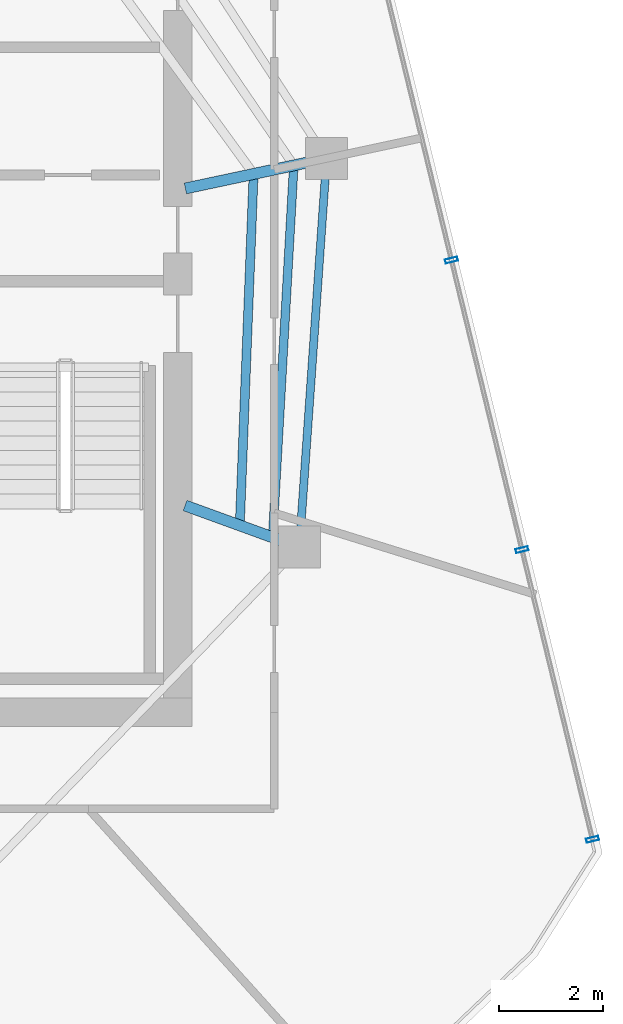
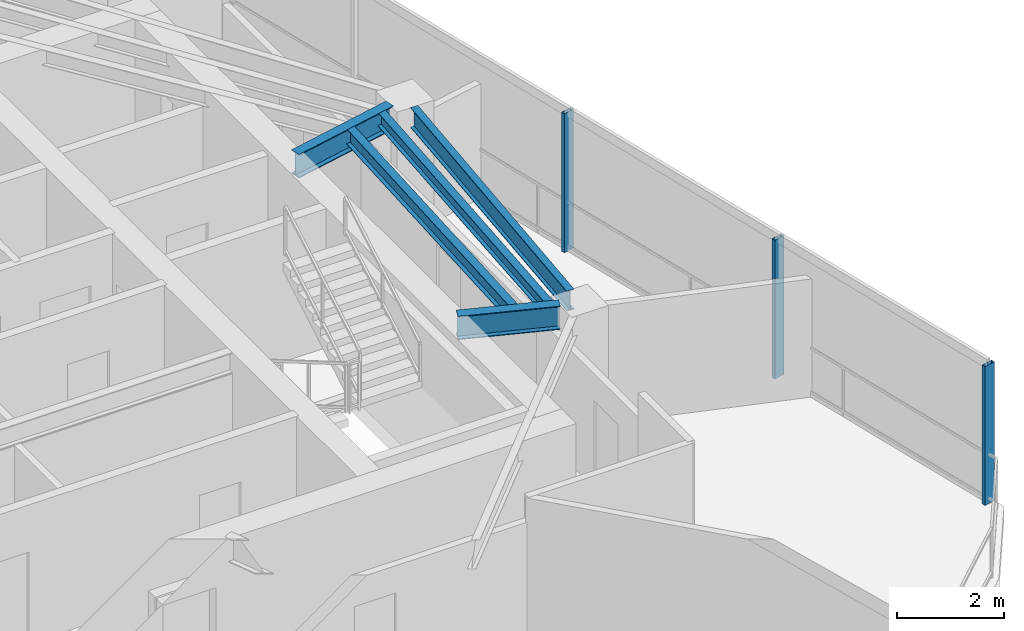
# One storey, part 10 of 19: 5 beams, 3 members, 1 element without a shape of its own.
"""IFC4 building model written with IfcOpenShell, lengths in metres."""

from ifc_helpers import new_model, si_unit, direction, frame, origin, origin_2d, place, context, subcontext, project, spatial, hollow_rectangle, i_section, extrude, material, layer, layer_set, material_profile, profile_set, type_object, element, aggregate, save


model = new_model("IFC4")

# Units and contexts
model_context = context("Model", 3, precision=1e-05, world=origin(), true_north=direction((0.0, 1.0)))
body_context = subcontext(model_context, "Body", "Model", "MODEL_VIEW")
ifc_project = project(units=[si_unit("LENGTHUNIT", "METRE"), si_unit("AREAUNIT", "SQUARE_METRE"), si_unit("VOLUMEUNIT", "CUBIC_METRE"), si_unit("PLANEANGLEUNIT", "RADIAN"), si_unit("MASSUNIT", "GRAM", prefix="KILO")], contexts=[model_context])

# Site, building, storey
site_placement = place(None, origin())
site = spatial("IfcSite", under=ifc_project, at=site_placement, CompositionType="ELEMENT")
building_placement = place(site_placement, origin())
building = spatial("IfcBuilding", under=site, at=building_placement, Name="Qarnah Convention Tower", CompositionType="ELEMENT")
storey_placement = place(building_placement, frame((0.0, 0.0, 231.89990234375)))
storey = spatial("IfcBuildingStorey", under=building, at=storey_placement, Name="L62", CompositionType="ELEMENT", Elevation=231.89990234375)

# Beams
ifc_material_1 = material(Name="Structural steel S355JR", Category="steel")
ifc_material_profile_1 = material_profile(ifc_material_1, i_section(OverallWidth=0.166015625, OverallDepth=0.31201171875, WebThickness=0.007080078125, FlangeThickness=0.010986328125, at=origin_2d()), Name="W310X45")
ifc_profile_set_1 = profile_set([ifc_material_profile_1], Name="Structural steel S355JR")
beam_type_1 = type_object("IfcBeamType", Name="BM-JST-W310", PredefinedType="JOIST", material=ifc_profile_set_1)
beam_1_placement = place(storey_placement, frame((49.425048828125, 22.04296875, 3.024169921875), z_axis=(0.056885989552, 0.998380680999, 0.0), x_axis=(-0.998380680999, 0.056885989552, 0.0)))
element("IfcBeam", 1, at=beam_1_placement, inside=storey, type_object=beam_type_1, Name="L62 joist BM-L62-SJST-09", PredefinedType="JOIST", context=body_context, shape_type="SweptSolid", body=[
    extrude(i_section(OverallWidth=0.166015625, OverallDepth=0.31201171875, WebThickness=0.007080078125, FlangeThickness=0.010986328125, at=origin_2d()), origin(), (0.0, 0.0, 1.0), 6.961181640625),
])
ifc_material_profile_2 = material_profile(ifc_material_1, i_section(OverallWidth=0.172119140625, OverallDepth=0.35595703125, WebThickness=0.007080078125, FlangeThickness=0.011962890625, at=origin_2d()), Name="W360X51")
ifc_profile_set_2 = profile_set([ifc_material_profile_2], Name="Structural steel S355JR")
beam_type_2 = type_object("IfcBeamType", Name="BM-JST-W360", PredefinedType="JOIST", material=ifc_profile_set_2)
beam_2_placement = place(storey_placement, frame((48.7939453125, 22.27197265625, 3.002197265625), z_axis=(0.039318838444, 0.999226715487, 0.0), x_axis=(-0.999226715487, 0.039318838444, 0.0)))
element("IfcBeam", 2, at=beam_2_placement, inside=storey, type_object=beam_type_2, Name="L62 joist BM-L62-IJST-09", PredefinedType="JOIST", context=body_context, shape_type="SweptSolid", body=[
    extrude(i_section(OverallWidth=0.172119140625, OverallDepth=0.35595703125, WebThickness=0.007080078125, FlangeThickness=0.011962890625, at=origin_2d()), origin(), (0.0, 0.0, 1.0), 6.563232421875),
])
ifc_material_profile_3 = material_profile(ifc_material_1, i_section(OverallWidth=0.2119140625, OverallDepth=0.5400390625, WebThickness=0.011962890625, FlangeThickness=0.01904296875, at=origin_2d()), Name="W530X109")
ifc_profile_set_3 = profile_set([ifc_material_profile_3], Name="Structural steel S355JR")
beam_type_3 = type_object("IfcBeamType", Name="BM-RAD-W530A", PredefinedType="BEAM", material=ifc_profile_set_3)
beam_3_placement = place(storey_placement, frame((47.7470703125, 28.64111328125, 2.91015625), z_axis=(0.978103714349, 0.20811805298, 0.0), x_axis=(-0.20811805298, 0.978103714349, 0.0)))
element("IfcBeam", 3, at=beam_3_placement, inside=storey, type_object=beam_type_3, Name="L62 beam BM-L62-RAD-01", PredefinedType="BEAM", context=body_context, shape_type="SweptSolid", body=[
    extrude(i_section(OverallWidth=0.2119140625, OverallDepth=0.5400390625, WebThickness=0.011962890625, FlangeThickness=0.01904296875, at=origin_2d()), origin(), (0.0, 0.0, 1.0), 2.38720703125),
])
beam_4_placement = place(storey_placement, frame((47.740966796875, 22.56396484375, 2.91015625), z_axis=(0.93967655832, -0.342064271363, 0.0), x_axis=(0.342064271363, 0.93967655832, 0.0)))
element("IfcBeam", 4, at=beam_4_placement, inside=storey, type_object=beam_type_3, Name="L62 beam BM-L62-RAD-09", PredefinedType="BEAM", context=body_context, shape_type="SweptSolid", body=[
    extrude(i_section(OverallWidth=0.2119140625, OverallDepth=0.5400390625, WebThickness=0.011962890625, FlangeThickness=0.01904296875, at=origin_2d()), origin(), (0.0, 0.0, 1.0), 1.95263671875),
])
ifc_material_profile_4 = material_profile(ifc_material_1, i_section(OverallWidth=0.154052734375, OverallDepth=0.4599609375, WebThickness=0.009033203125, FlangeThickness=0.014892578125, at=origin_2d()), Name="W460X68")
ifc_profile_set_4 = profile_set([ifc_material_profile_4], Name="Structural steel S355JR")
beam_type_4 = type_object("IfcBeamType", Name="BM-SPN-W460B", PredefinedType="SPANDREL", material=ifc_profile_set_4)
beam_5_placement = place(storey_placement, frame((49.9599609375, 22.155029296875, 2.9501953125), z_axis=(0.069820410922, 0.997559577278, 0.0), x_axis=(-0.997559577278, 0.069820410922, 0.0)))
element("IfcBeam", 5, at=beam_5_placement, inside=storey, type_object=beam_type_4, Name="L62 spandrel BM-L62-SPN-09", PredefinedType="SPANDREL", context=body_context, shape_type="SweptSolid", body=[
    extrude(i_section(OverallWidth=0.154052734375, OverallDepth=0.4599609375, WebThickness=0.009033203125, FlangeThickness=0.014892578125, at=origin_2d()), origin(), (0.0, 0.0, 1.0), 6.689208984375),
])

# Curtain wall, members
ifc_material_2 = material(Name="Tempered Low-E dark glass", Category="glass")
ifc_layer = layer(ifc_material_2, 0.176025390625)
ifc_layer_set = layer_set([ifc_layer], Name="Tempered Low-E dark glass")
curtain_wall_type = type_object("IfcCurtainWallType", Name="CWS-05", PredefinedType="NOTDEFINED", material=ifc_layer_set)
curtain_wall_placement = place(storey_placement, origin())
curtain_wall = element("IfcCurtainWall", 6, at=curtain_wall_placement, inside=storey, type_object=curtain_wall_type, Name="L62 unitised curtain wall CW-L62-F3", PredefinedType="NOTDEFINED")
ifc_material_3 = material(Name="Black anodised aluminium", Category="aluminium")
ifc_material_profile_5 = material_profile(ifc_material_3, hollow_rectangle(XDim=0.080078125, YDim=0.239990234375, WallThickness=0.0048828125, at=origin_2d()), Name="MUL-80X240")
ifc_profile_set_5 = profile_set([ifc_material_profile_5], Name="Black anodised aluminium")
member_type = type_object("IfcMemberType", Name="MUL-T5", PredefinedType="MULLION", material=ifc_profile_set_5)
member_1_placement = place(storey_placement, frame((52.84912109375, 27.268310546875, 0.0), z_axis=(0.0, 0.0, 1.0), x_axis=(0.236494469189, -0.971632834996, 0.0)))
member_1 = element("IfcMember", 7, at=member_1_placement, type_object=member_type, Name="CW-L62-F3 mullion 4", PredefinedType="MULLION", context=body_context, shape_type="SweptSolid", body=[
    extrude(hollow_rectangle(XDim=0.080078125, YDim=0.239990234375, WallThickness=0.0048828125, at=origin_2d()), origin(), (0.0, 0.0, 1.0), 3.18017578125),
])
member_2_placement = place(storey_placement, frame((54.20068359375, 21.71630859375, 0.0), z_axis=(0.0, 0.0, 1.0), x_axis=(0.236494469189, -0.971632834996, 0.0)))
member_2 = element("IfcMember", 8, at=member_2_placement, type_object=member_type, Name="CW-L62-F3 mullion 5", PredefinedType="MULLION", context=body_context, shape_type="SweptSolid", body=[
    extrude(hollow_rectangle(XDim=0.080078125, YDim=0.239990234375, WallThickness=0.0048828125, at=origin_2d()), origin(), (0.0, 0.0, 1.0), 3.18017578125),
])
member_3_placement = place(storey_placement, frame((55.552001953125, 16.1640625, 0.0), z_axis=(0.0, 0.0, 1.0), x_axis=(0.236494469189, -0.971632834996, 0.0)))
member_3 = element("IfcMember", 9, at=member_3_placement, type_object=member_type, Name="CW-L62-F3 mullion 6", PredefinedType="MULLION", context=body_context, shape_type="SweptSolid", body=[
    extrude(hollow_rectangle(XDim=0.080078125, YDim=0.239990234375, WallThickness=0.0048828125, at=origin_2d()), origin(), (0.0, 0.0, 1.0), 3.18017578125),
])
aggregate(curtain_wall, [member_1, member_2, member_3])

save(model, "model.ifc")
